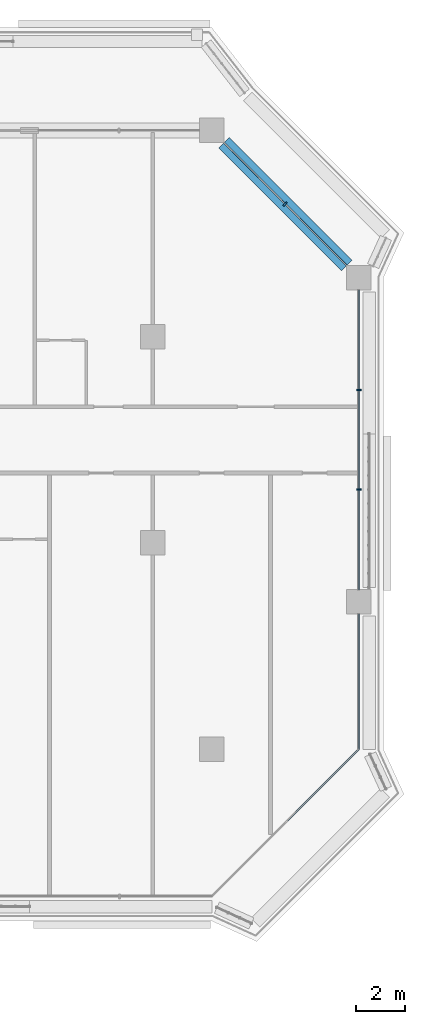
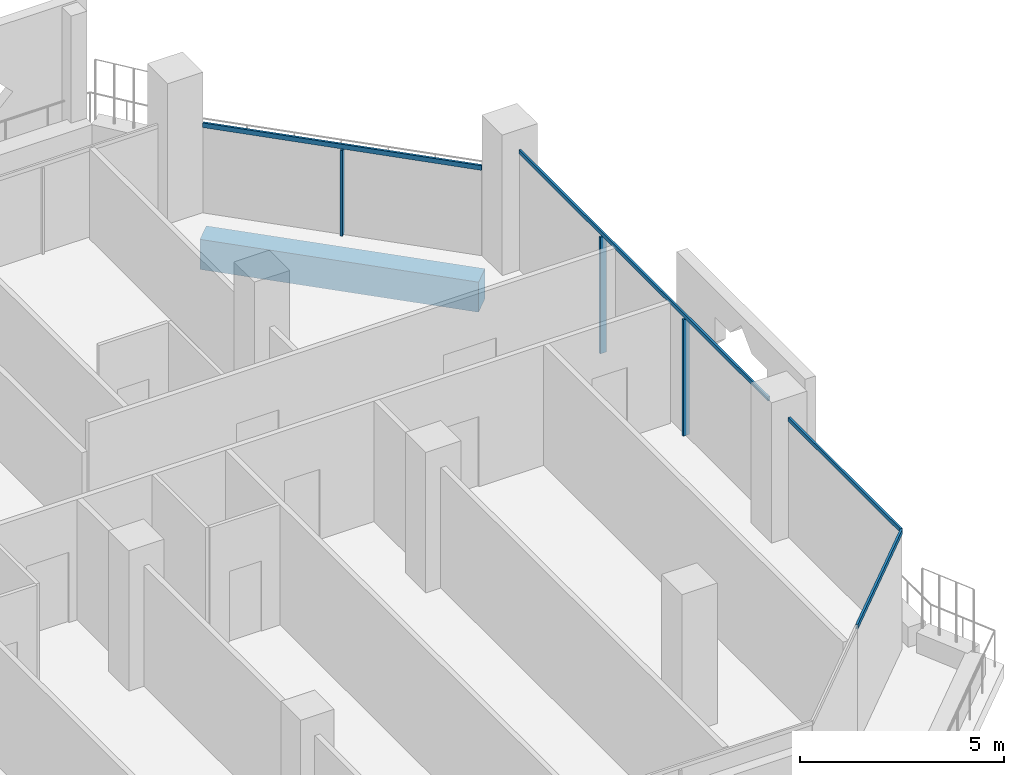
# One storey, part 7 of 23: 7 members, 1 beam, 3 elements without a shape of their own.
"""IFC4 building model written with IfcOpenShell, lengths in metres."""

from ifc_helpers import new_model, si_unit, direction, frame, origin, origin_2d, place, context, subcontext, project, spatial, rectangle, extrude, material, layer, layer_set, material_profile, profile_set, type_object, element, aggregate, save


model = new_model("IFC4")

# Units and contexts
model_context = context("Model", 3, precision=1e-05, world=origin(), true_north=direction((0.0, 1.0)))
body_context = subcontext(model_context, "Body", "Model", "MODEL_VIEW")
ifc_project = project(units=[si_unit("LENGTHUNIT", "METRE"), si_unit("AREAUNIT", "SQUARE_METRE"), si_unit("VOLUMEUNIT", "CUBIC_METRE"), si_unit("PLANEANGLEUNIT", "RADIAN"), si_unit("MASSUNIT", "GRAM", prefix="KILO")], contexts=[model_context])

# Site, building, storey
site_placement = place(None, origin())
site = spatial("IfcSite", under=ifc_project, at=site_placement, CompositionType="ELEMENT")
building_placement = place(site_placement, origin())
building = spatial("IfcBuilding", under=site, at=building_placement, Name="Kawkab Arch Medical Tower", CompositionType="ELEMENT")
storey_placement = place(building_placement, frame((0.0, 0.0, 175.199951171875)))
storey = spatial("IfcBuildingStorey", under=building, at=storey_placement, Name="L40", CompositionType="ELEMENT", Elevation=175.199951171875)

# Curtain wall, members
ifc_material_1 = material(Name="Bronze anodised aluminium curtain wall frame", Category="aluminium")
ifc_layer_1 = layer(ifc_material_1, 0.159912109375)
ifc_layer_set_1 = layer_set([ifc_layer_1], Name="Bronze anodised aluminium curtain wall frame")
curtain_wall_type_1 = type_object("IfcCurtainWallType", Name="CW1 ward curtain wall", PredefinedType="NOTDEFINED", material=ifc_layer_set_1)
placement = place(storey_placement, origin())
curtain_wall_1 = element("IfcCurtainWall", 1, at=placement, inside=storey, type_object=curtain_wall_type_1, Name="CW1 Ward curtain wall R09", PredefinedType="NOTDEFINED")
ifc_material_2 = material(Name="Bronze anodised aluminium curtain wall frame", Category="aluminium")
ifc_material_profile_1 = material_profile(ifc_material_2, rectangle(XDim=0.179931640625, YDim=0.06005859375, at=origin_2d()), Name="AL 60x180")
ifc_profile_set_1 = profile_set([ifc_material_profile_1], Name="Bronze anodised aluminium curtain wall frame")
member_type_1 = type_object("IfcMemberType", Name="CW1 mullion 60 x 180", PredefinedType="MULLION", material=ifc_profile_set_1)
member_1_placement = place(storey_placement, frame((67.199951171875, -14.63330078125, 0.0), z_axis=(0.0, 0.0, 1.0), x_axis=(-1.0, 0.0, 0.0)))
member_1 = element("IfcMember", 2, at=member_1_placement, type_object=member_type_1, Name="CW1 mullion 2.1", PredefinedType="MULLION", context=body_context, shape_type="SweptSolid", body=[
    extrude(rectangle(XDim=0.179931640625, YDim=0.06005859375, at=origin_2d()), origin(), (0.0, 0.0, 1.0), 3.47998046875),
])
member_2_placement = place(storey_placement, frame((67.199951171875, -10.566650390625, 0.0), z_axis=(0.0, 0.0, 1.0), x_axis=(-1.0, 0.0, 0.0)))
member_2 = element("IfcMember", 3, at=member_2_placement, type_object=member_type_1, Name="CW1 mullion 2.2", PredefinedType="MULLION", context=body_context, shape_type="SweptSolid", body=[
    extrude(rectangle(XDim=0.179931640625, YDim=0.06005859375, at=origin_2d()), origin(), (0.0, 0.0, 1.0), 3.47998046875),
])
ifc_material_3 = material(Name="Bronze anodised aluminium curtain wall frame", Category="aluminium")
ifc_material_profile_2 = material_profile(ifc_material_3, rectangle(XDim=0.06005859375, YDim=0.1201171875, at=origin_2d()), Name="AL 60x120")
ifc_profile_set_2 = profile_set([ifc_material_profile_2], Name="Bronze anodised aluminium curtain wall frame")
member_type_2 = type_object("IfcMemberType", Name="CW1 transom 120 x 60", PredefinedType="USERDEFINED", material=ifc_profile_set_2)
member_3_placement = place(storey_placement, frame((67.199951171875, -25.199951171875, 3.5400390625), z_axis=(0.0, 1.0, 0.0), x_axis=(-1.0, 0.0, 0.0)))
member_3 = element("IfcMember", 4, at=member_3_placement, type_object=member_type_2, Name="CW1 transom 1", ObjectType="TRANSOM", PredefinedType="USERDEFINED", context=body_context, shape_type="SweptSolid", body=[
    extrude(rectangle(XDim=0.06005859375, YDim=0.1201171875, at=origin_2d()), origin(), (0.0, 0.0, 1.0), 5.5),
])
member_4_placement = place(storey_placement, frame((67.199951171875, -18.699951171875, 3.5400390625), z_axis=(0.0, 1.0, 0.0), x_axis=(-1.0, 0.0, 0.0)))
member_4 = element("IfcMember", 5, at=member_4_placement, type_object=member_type_2, Name="CW1 transom 2", ObjectType="TRANSOM", PredefinedType="USERDEFINED", context=body_context, shape_type="SweptSolid", body=[
    extrude(rectangle(XDim=0.06005859375, YDim=0.1201171875, at=origin_2d()), origin(), (0.0, 0.0, 1.0), 12.199951171875),
])
aggregate(curtain_wall_1, [member_3, member_4, member_1, member_2])

# Curtain wall, member
ifc_material_4 = material(Name="Bronze anodised aluminium curtain wall frame", Category="aluminium")
ifc_layer_2 = layer(ifc_material_4, 0.159912109375)
ifc_layer_set_2 = layer_set([ifc_layer_2], Name="Bronze anodised aluminium curtain wall frame")
curtain_wall_type_2 = type_object("IfcCurtainWallType", Name="CW2 chamfer curtain wall", PredefinedType="NOTDEFINED", material=ifc_layer_set_2)
curtain_wall_2 = element("IfcCurtainWall", 6, at=placement, inside=storey, type_object=curtain_wall_type_2, Name="CW2 Chamfer curtain wall R10", PredefinedType="NOTDEFINED")
ifc_material_5 = material(Name="Bronze anodised aluminium curtain wall frame", Category="aluminium")
ifc_material_profile_3 = material_profile(ifc_material_5, rectangle(XDim=0.199951171875, YDim=0.06005859375, at=origin_2d()), Name="AL 60x200")
ifc_profile_set_3 = profile_set([ifc_material_profile_3], Name="Bronze anodised aluminium curtain wall frame")
member_type_3 = type_object("IfcMemberType", Name="CW2 mullion 60 x 200", PredefinedType="MULLION", material=ifc_profile_set_3)
member_5_placement = place(storey_placement, frame((64.199951171875, -3.0, 0.0), z_axis=(0.0, 0.0, 1.0), x_axis=(-0.707106781187, -0.707106781187, 0.0)))
member_5 = element("IfcMember", 7, at=member_5_placement, type_object=member_type_3, Name="CW2 mullion 1.1", PredefinedType="MULLION", context=body_context, shape_type="SweptSolid", body=[
    extrude(rectangle(XDim=0.199951171875, YDim=0.06005859375, at=origin_2d()), origin(), (0.0, 0.0, 1.0), 2.56005859375),
])

curtain_wall_3 = element("IfcCurtainWall", 8, at=placement, inside=storey, type_object=curtain_wall_type_2, Name="CW2 Chamfer curtain wall R08", PredefinedType="NOTDEFINED")
ifc_material_6 = material(Name="Bronze anodised aluminium curtain wall frame", Category="aluminium")
ifc_material_profile_4 = material_profile(ifc_material_6, rectangle(XDim=0.06005859375, YDim=0.139892578125, at=origin_2d()), Name="AL 60x140")
ifc_profile_set_4 = profile_set([ifc_material_profile_4], Name="Bronze anodised aluminium curtain wall frame")
member_type_4 = type_object("IfcMemberType", Name="CW2 transom 140 x 60", PredefinedType="USERDEFINED", material=ifc_profile_set_4)
member_6_placement = place(storey_placement, frame((64.199951171875, -28.199951171875, 3.530029296875), z_axis=(0.707106781187, 0.707106781187, 0.0), x_axis=(-0.707106781187, 0.707106781187, 0.0)))
member_6 = element("IfcMember", 9, at=member_6_placement, type_object=member_type_4, Name="CW2 transom 2", ObjectType="TRANSOM", PredefinedType="USERDEFINED", context=body_context, shape_type="SweptSolid", body=[
    extrude(rectangle(XDim=0.06005859375, YDim=0.139892578125, at=origin_2d()), origin(), (0.0, 0.0, 1.0), 4.24267578125),
])
aggregate(curtain_wall_3, [member_6])

# Member
member_7_placement = place(storey_placement, frame((66.699951171875, -5.5, 2.630126953125), z_axis=(-0.707106781187, 0.707106781187, 0.0), x_axis=(-0.707106781187, -0.707106781187, 0.0)))
member_7 = element("IfcMember", 10, at=member_7_placement, type_object=member_type_4, Name="CW2 transom 1", ObjectType="TRANSOM", PredefinedType="USERDEFINED", context=body_context, shape_type="SweptSolid", body=[
    extrude(rectangle(XDim=0.06005859375, YDim=0.139892578125, at=origin_2d()), origin(), (0.0, 0.0, 1.0), 7.071044921875),
])

aggregate(curtain_wall_2, [member_7, member_5])

# Beam
ifc_material_7 = material(Name="Concrete C50/60", Category="concrete")
ifc_material_profile_5 = material_profile(ifc_material_7, rectangle(XDim=0.60009765625, YDim=0.89990234375, at=origin_2d()), Name="RC 600x900")
ifc_profile_set_5 = profile_set([ifc_material_profile_5], Name="Concrete C50/60")
beam_type = type_object("IfcBeamType", Name="RC 600x900 beam C50/60", PredefinedType="BEAM", material=ifc_profile_set_5)
beam_placement = place(storey_placement, frame((61.699951171875, -0.5, -1.050048828125), z_axis=(0.707106781187, -0.707106781187, 0.0), x_axis=(0.707106781187, 0.707106781187, 0.0)))
element("IfcBeam", 11, at=beam_placement, inside=storey, type_object=beam_type, Name="Overhang edge beam L40-08", PredefinedType="BEAM", context=body_context, shape_type="SweptSolid", body=[
    extrude(rectangle(XDim=0.60009765625, YDim=0.89990234375, at=origin_2d()), origin(), (0.0, 0.0, 1.0), 7.071044921875),
])

save(model, "model.ifc")
